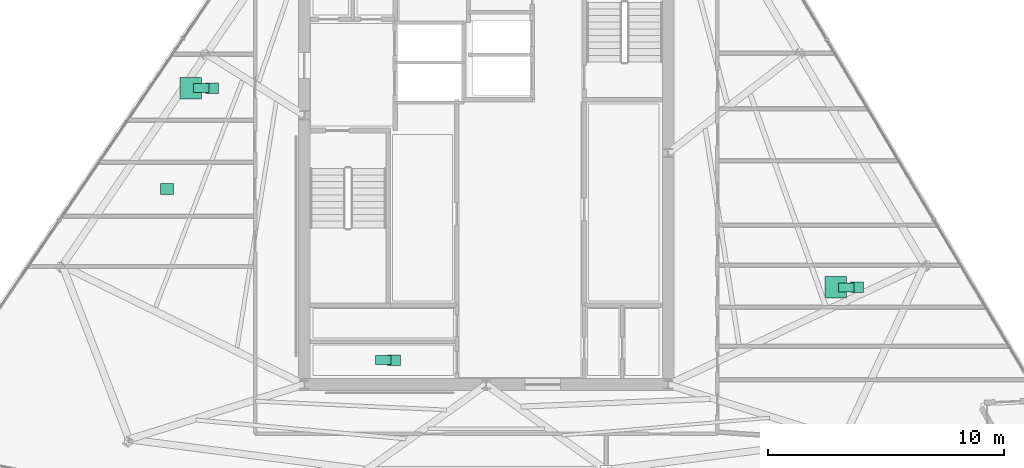
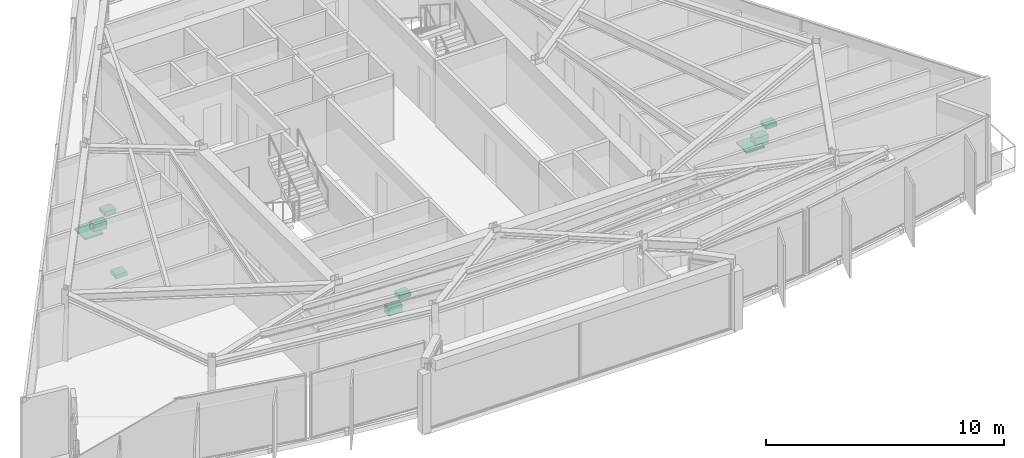
# One storey, part 13 of 13: 9 sanitary terminals.
"""IFC4 building model written with IfcOpenShell, lengths in metres."""

from ifc_helpers import new_model, si_unit, direction, frame, origin, origin_2d, place, context, subcontext, project, spatial, rectangle, extrude, material, type_object, element, save


model = new_model("IFC4")

# Units and contexts
model_context = context("Model", 3, precision=1e-05, world=origin(), true_north=direction((0.0, 1.0)))
body_context = subcontext(model_context, "Body", "Model", "MODEL_VIEW")
ifc_project = project(units=[si_unit("LENGTHUNIT", "METRE"), si_unit("AREAUNIT", "SQUARE_METRE"), si_unit("VOLUMEUNIT", "CUBIC_METRE"), si_unit("PLANEANGLEUNIT", "RADIAN"), si_unit("MASSUNIT", "GRAM", prefix="KILO")], contexts=[model_context])

# Site, building, storey
site_placement = place(None, origin())
site = spatial("IfcSite", under=ifc_project, at=site_placement, CompositionType="ELEMENT")
building_placement = place(site_placement, origin())
building = spatial("IfcBuilding", under=site, at=building_placement, Name="Savorim Split Tower", CompositionType="ELEMENT")
storey_placement = place(building_placement, frame((0.0, 0.0, 286.800048828125)))
storey = spatial("IfcBuildingStorey", under=building, at=storey_placement, Name="L76", CompositionType="ELEMENT", Elevation=286.800048828125)

# Sanitary terminals
ifc_material = material(Name="Vitreous China Sanitaryware")
sanitary_terminal_type_1 = type_object("IfcSanitaryTerminalType", Name="SAN-SHW-900", PredefinedType="SHOWER", material=ifc_material)
for number, where, z_axis, x_axis, name in (
    (1, (14.7841796875, -5.287109375, 0.0), (0.0, 0.0, 1.0), (1.0, 0.0, 0.0), "L76 Shared Bathroom Shower"),
    (2, (-12.50244140625, 3.137451171875, 0.0), (0.0, 0.0, 1.0), (1.0, 0.0, 0.0), "L76 Shared Bathroom Shower"),
):
    element("IfcSanitaryTerminal", number, at=place(storey_placement, frame(where, z_axis=z_axis, x_axis=x_axis)), inside=storey, type_object=sanitary_terminal_type_1, Name=name, PredefinedType="SHOWER", context=body_context, shape_type="SweptSolid", body=[
        extrude(rectangle(XDim=0.89990234375, YDim=0.89990234375, at=origin_2d()), origin(), (0.0, 0.0, 1.0), 0.080078125),
    ])
sanitary_terminal_type_2 = type_object("IfcSanitaryTerminalType", Name="SAN-WC-PAN", PredefinedType="TOILETPAN", material=ifc_material)
for number, where, z_axis, x_axis, name in (
    (3, (-4.35009765625, -8.3701171875, 0.0), (0.0, 0.0, 1.0), (1.0, 0.0, 0.0), "L76 Public WC WC Pan"),
    (4, (15.234130859375, -5.287109375, 0.0), (0.0, 0.0, 1.0), (1.0, 0.0, 0.0), "L76 Shared Bathroom WC Pan"),
    (5, (-12.052490234375, 3.137451171875, 0.0), (0.0, 0.0, 1.0), (1.0, 0.0, 0.0), "L76 Shared Bathroom WC Pan"),
):
    element("IfcSanitaryTerminal", number, at=place(storey_placement, frame(where, z_axis=z_axis, x_axis=x_axis)), inside=storey, type_object=sanitary_terminal_type_2, Name=name, PredefinedType="TOILETPAN", context=body_context, shape_type="SweptSolid", body=[
        extrude(rectangle(XDim=0.64990234375, YDim=0.3798828125, at=origin_2d()), origin(), (0.0, 0.0, 1.0), 0.419921875),
    ])
sanitary_terminal_type_3 = type_object("IfcSanitaryTerminalType", Name="SAN-WHB-550", PredefinedType="WASHHANDBASIN", material=ifc_material)
for number, where, z_axis, x_axis, name in (
    (6, (-3.89990234375, -8.3701171875, 0.72021484375), (0.0, 0.0, 1.0), (1.0, 0.0, 0.0), "L76 Public WC Washhand Basin"),
    (7, (-13.503662109375, -1.12890625, 0.75), (0.0, 0.0, 1.0), (1.0, 0.0, 0.0), "L76 Shared Kitchen Utility Sink"),
    (8, (15.68408203125, -5.287109375, 0.72021484375), (0.0, 0.0, 1.0), (1.0, 0.0, 0.0), "L76 Shared Bathroom Washhand Basin"),
    (9, (-11.602294921875, 3.137451171875, 0.72021484375), (0.0, 0.0, 1.0), (1.0, 0.0, 0.0), "L76 Shared Bathroom Washhand Basin"),
):
    element("IfcSanitaryTerminal", number, at=place(storey_placement, frame(where, z_axis=z_axis, x_axis=x_axis)), inside=storey, type_object=sanitary_terminal_type_3, Name=name, PredefinedType="WASHHANDBASIN", context=body_context, shape_type="SweptSolid", body=[
        extrude(rectangle(XDim=0.550048828125, YDim=0.449951171875, at=origin_2d()), origin(), (0.0, 0.0, 1.0), 0.199951171875),
    ])

save(model, "model.ifc")
